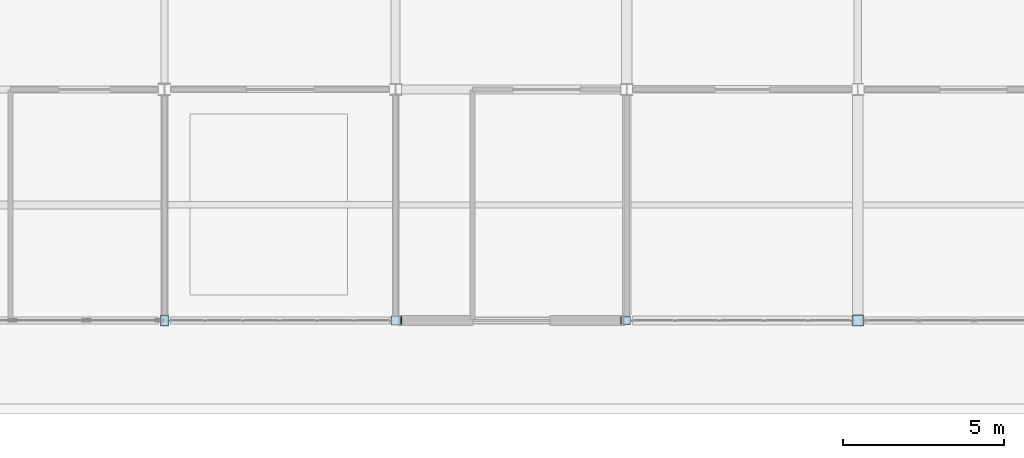
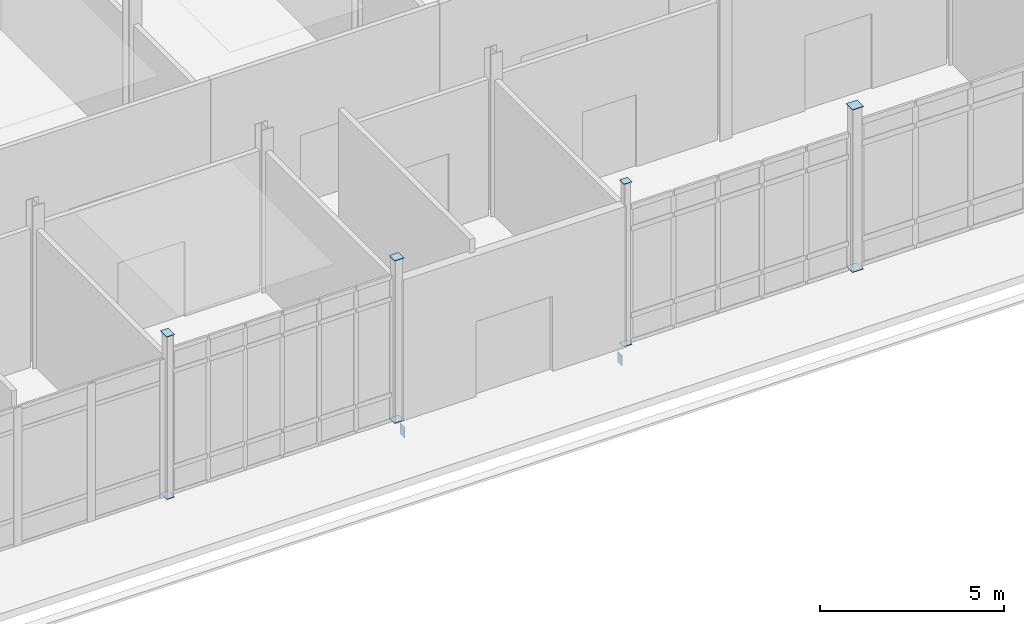
# One storey, part 179 of 229: 10 plates.
"""IFC4 building model written with IfcOpenShell, lengths in metres."""

from ifc_helpers import new_model, si_unit, direction, frame, origin, origin_2d, place, context, subcontext, project, spatial, rectangle, extrude, material, layer, layer_set, type_object, element, save


model = new_model("IFC4")

# Units and contexts
model_context = context("Model", 3, precision=1e-05, world=origin(), true_north=direction((0.0, 1.0)))
body_context = subcontext(model_context, "Body", "Model", "MODEL_VIEW")
ifc_project = project(units=[si_unit("LENGTHUNIT", "METRE"), si_unit("AREAUNIT", "SQUARE_METRE"), si_unit("VOLUMEUNIT", "CUBIC_METRE"), si_unit("PLANEANGLEUNIT", "RADIAN"), si_unit("MASSUNIT", "GRAM", prefix="KILO")], contexts=[model_context])

# Site, building, storey
site_placement = place(None, origin())
site = spatial("IfcSite", under=ifc_project, at=site_placement, CompositionType="ELEMENT")
building_placement = place(site_placement, origin())
building = spatial("IfcBuilding", under=site, at=building_placement, Name="Calvrana Isthmian Art Gallery", CompositionType="ELEMENT")
storey_placement = place(building_placement, origin())
storey = spatial("IfcBuildingStorey", under=building, at=storey_placement, Name="L00", CompositionType="ELEMENT", Elevation=0.0)

# Plates
ifc_material = material(Name="Steel ASTM A572 Gr 50", Category="steel")
ifc_layer = layer(ifc_material, 0.01611328125, Name="Steel ASTM A572 Gr 50")
ifc_layer_set = layer_set([ifc_layer], Name="Steel ASTM A572 Gr 50")
plate_type = type_object("IfcPlateType", Name="PL-CAP-16", PredefinedType="SHEET", material=ifc_layer_set)
for number, where, z_axis, x_axis, name in (
    (1, (127.199951171875, 0.0, -0.008056640625), (0.0, 0.0, 1.0), (1.0, 0.0, 0.0), "Hollow section end cap plate 291"),
    (2, (127.199951171875, 0.0, 5.391845703125), (0.0, 0.0, 1.0), (1.0, 0.0, 0.0), "Hollow section end cap plate 292"),
):
    element("IfcPlate", number, at=place(storey_placement, frame(where, z_axis=z_axis, x_axis=x_axis)), inside=storey, type_object=plate_type, Name=name, PredefinedType="SHEET", context=body_context, shape_type="SweptSolid", body=[
        extrude(rectangle(XDim=0.2431640625, YDim=0.3447265625, at=origin_2d()), origin(), (0.0, 0.0, 1.0), 0.01611328125),
    ])
for number, where, z_axis, x_axis, name in (
    (3, (134.39990234375, 0.0, -0.008056640625), (0.0, 0.0, 1.0), (1.0, 0.0, 0.0), "Hollow section end cap plate 305"),
    (4, (134.39990234375, 0.0, 5.391845703125), (0.0, 0.0, 1.0), (1.0, 0.0, 0.0), "Hollow section end cap plate 306"),
):
    element("IfcPlate", number, at=place(storey_placement, frame(where, z_axis=z_axis, x_axis=x_axis)), inside=storey, type_object=plate_type, Name=name, PredefinedType="SHEET", context=body_context, shape_type="SweptSolid", body=[
        extrude(rectangle(XDim=0.2939453125, YDim=0.2939453125, at=origin_2d()), origin(), (0.0, 0.0, 1.0), 0.01611328125),
    ])
for number, where, z_axis, x_axis, name in (
    (5, (141.60009765625, 0.0, -0.008056640625), (0.0, 0.0, 1.0), (1.0, 0.0, 0.0), "Hollow section end cap plate 319"),
    (6, (141.60009765625, 0.0, 5.391845703125), (0.0, 0.0, 1.0), (1.0, 0.0, 0.0), "Hollow section end cap plate 320"),
):
    element("IfcPlate", number, at=place(storey_placement, frame(where, z_axis=z_axis, x_axis=x_axis)), inside=storey, type_object=plate_type, Name=name, PredefinedType="SHEET", context=body_context, shape_type="SweptSolid", body=[
        extrude(rectangle(XDim=0.2431640625, YDim=0.2431640625, at=origin_2d()), origin(), (0.0, 0.0, 1.0), 0.01611328125),
    ])
for number, where, z_axis, x_axis, name in (
    (7, (148.800048828125, 0.0, -0.008056640625), (0.0, 0.0, 1.0), (1.0, 0.0, 0.0), "Hollow section end cap plate 333"),
    (8, (148.800048828125, 0.0, 5.391845703125), (0.0, 0.0, 1.0), (1.0, 0.0, 0.0), "Hollow section end cap plate 334"),
):
    element("IfcPlate", number, at=place(storey_placement, frame(where, z_axis=z_axis, x_axis=x_axis)), inside=storey, type_object=plate_type, Name=name, PredefinedType="SHEET", context=body_context, shape_type="SweptSolid", body=[
        extrude(rectangle(XDim=0.3447265625, YDim=0.3447265625, at=origin_2d()), origin(), (0.0, 0.0, 1.0), 0.01611328125),
    ])
for number, where, z_axis, x_axis, name in (
    (9, (134.58642578125, 0.0, -0.60986328125), (0.0, 0.0, 1.0), (1.0, 0.0, 0.0), "Hollow section end cap plate 375"),
    (10, (141.41357421875, 0.0, -0.60986328125), (0.0, 0.0, 1.0), (1.0, 0.0, 0.0), "Hollow section end cap plate 376"),
):
    element("IfcPlate", number, at=place(storey_placement, frame(where, z_axis=z_axis, x_axis=x_axis)), inside=storey, type_object=plate_type, Name=name, PredefinedType="SHEET", context=body_context, shape_type="SweptSolid", body=[
        extrude(rectangle(XDim=0.01611328125, YDim=0.2431640625, at=origin_2d()), origin(), (0.0, 0.0, 1.0), 0.3447265625),
    ])

save(model, "model.ifc")
